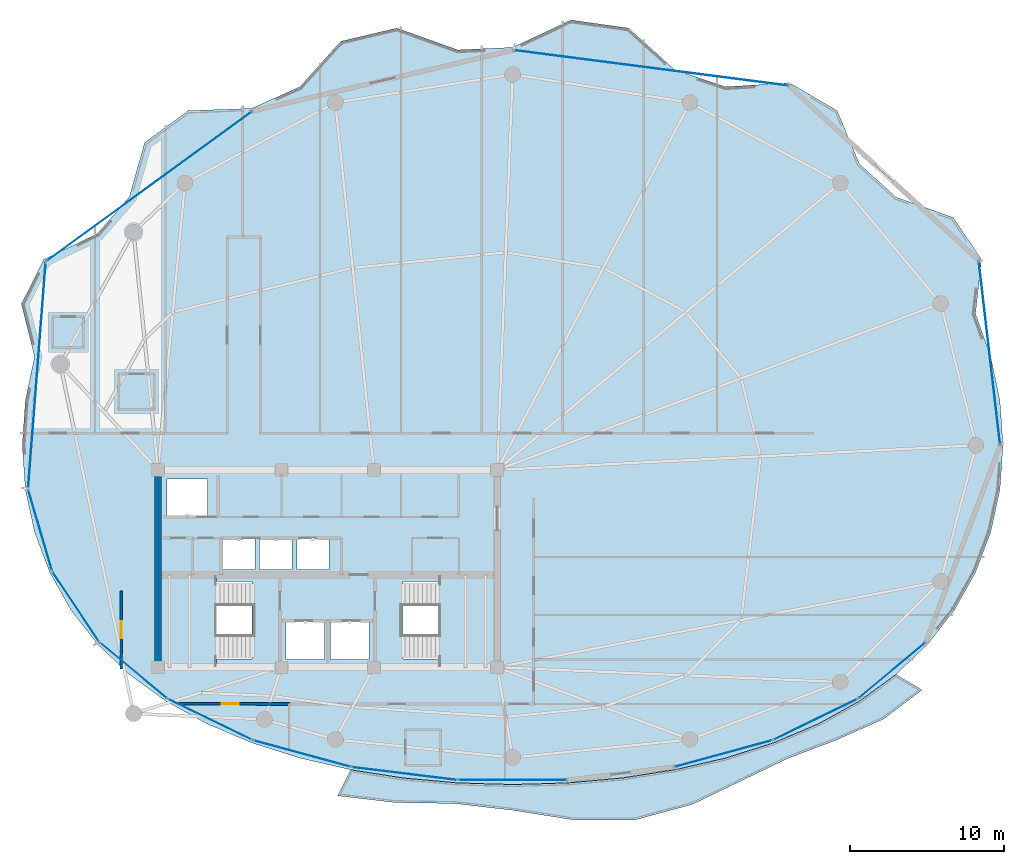
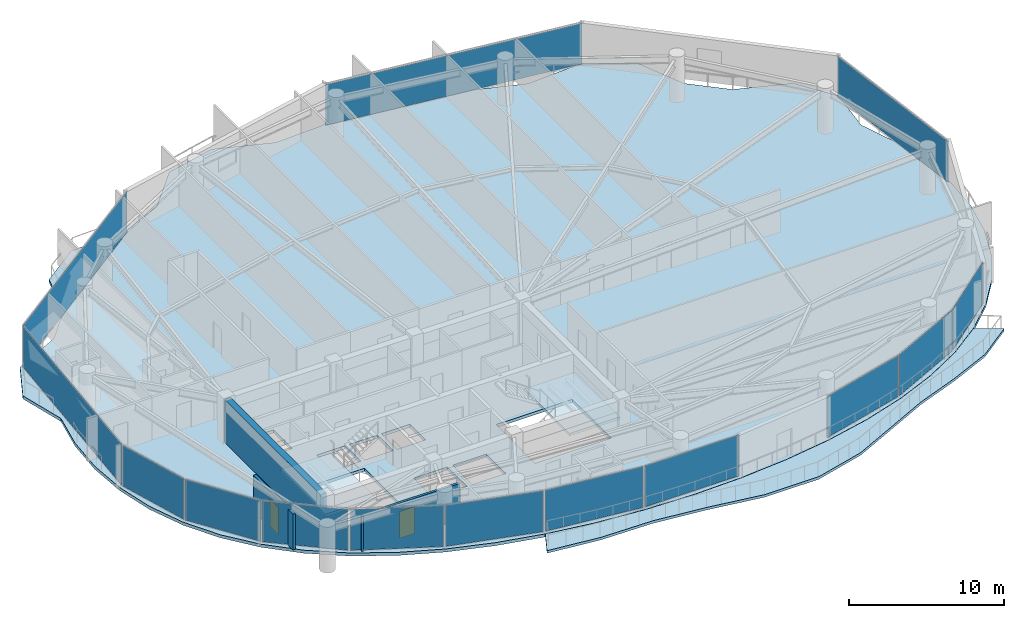
# One storey, part 24 of 31: 14 plates, 4 slabs, 3 walls, 2 doors, 2 openings, 16 elements without a shape of their own.
"""IFC4 building model written with IfcOpenShell, lengths in metres."""

from ifc_helpers import new_model, si_unit, direction, frame, frame_2d, origin, origin_2d, place, context, subcontext, project, spatial, polyline, rectangle, outline, extrude, material, layer, layer_set, type_object, element, fill, aggregate, save


model = new_model("IFC4")

# Units and contexts
model_context = context("Model", 3, precision=1e-05, world=origin(), true_north=direction((0.0, 1.0)))
body_context = subcontext(model_context, "Body", "Model", "MODEL_VIEW")
ifc_project = project(units=[si_unit("LENGTHUNIT", "METRE"), si_unit("AREAUNIT", "SQUARE_METRE"), si_unit("VOLUMEUNIT", "CUBIC_METRE"), si_unit("PLANEANGLEUNIT", "RADIAN"), si_unit("MASSUNIT", "GRAM", prefix="KILO")], contexts=[model_context])

# Site, building, storey
site_placement = place(None, origin())
site = spatial("IfcSite", under=ifc_project, at=site_placement, CompositionType="ELEMENT")
building_placement = place(site_placement, origin())
building = spatial("IfcBuilding", under=site, at=building_placement, Name="Kazevale Care Tower and Concert Hall", CompositionType="ELEMENT")
storey_placement = place(building_placement, frame((0.0, 0.0, 235.199951171875)))
storey = spatial("IfcBuildingStorey", under=building, at=storey_placement, Name="L62", CompositionType="ELEMENT", Elevation=235.199951171875)

# Curtain wall, plate
ifc_material_1 = material(Name="Aluminium 6063-T6 and Low-E Glass", Category="aluminium")
ifc_layer_1 = layer(ifc_material_1, 0.179931640625)
ifc_layer_set_1 = layer_set([ifc_layer_1], Name="Aluminium 6063-T6 and Low-E Glass")
curtain_wall_type_1 = type_object("IfcCurtainWallType", Name="Waist & Upper Residential Curtain Wall CW-4", PredefinedType="NOTDEFINED", material=ifc_layer_set_1)
curtain_wall_1_placement = place(storey_placement, origin())
curtain_wall_1 = element("IfcCurtainWall", 1, at=curtain_wall_1_placement, inside=storey, type_object=curtain_wall_type_1, Name="cw:L62:f11", PredefinedType="NOTDEFINED")
ifc_material_2 = material(Name="Low-E Laminated Glass", Category="glass")
ifc_layer_2 = layer(ifc_material_2, 0.030029296875)
ifc_layer_set_2 = layer_set([ifc_layer_2], Name="Low-E Laminated Glass")
plate_type_1 = type_object("IfcPlateType", Name="CW-4 Low-E Glazing Panel 30mm", PredefinedType="CURTAIN_PANEL", material=ifc_layer_set_2)
plate_1_placement = place(storey_placement, frame((16.677978515625, 27.525390625, 0.080078125), z_axis=(0.0, 0.0, 1.0), x_axis=(-0.554616540853, 0.832106058512, 0.0)))
plate_1 = element("IfcPlate", 2, at=plate_1_placement, type_object=plate_type_1, Name="CW-4 panel 1.1", PredefinedType="CURTAIN_PANEL", context=body_context, shape_type="SweptSolid", body=[
    extrude(rectangle(XDim=5.357421875, YDim=0.030029296875, at=origin_2d()), origin(), (0.0, 0.0, 1.0), 3.199951171875),
])
aggregate(curtain_wall_1, [plate_1])

curtain_wall_2_placement = place(storey_placement, origin())
curtain_wall_2 = element("IfcCurtainWall", 3, at=curtain_wall_2_placement, inside=storey, type_object=curtain_wall_type_1, Name="cw:L62:f12", PredefinedType="NOTDEFINED")
plate_2_placement = place(storey_placement, frame((14.363525390625, 32.489013671875, 0.080078125), z_axis=(0.0, 0.0, 1.0), x_axis=(-0.282098184457, 0.959385539982, 0.0)))
plate_2 = element("IfcPlate", 4, at=plate_2_placement, type_object=plate_type_1, Name="CW-4 panel 1.1", PredefinedType="CURTAIN_PANEL", context=body_context, shape_type="SweptSolid", body=[
    extrude(rectangle(XDim=5.40185546875, YDim=0.030029296875, at=origin_2d()), origin(), (0.0, 0.0, 1.0), 3.199951171875),
])
aggregate(curtain_wall_2, [plate_2])

curtain_wall_3_placement = place(storey_placement, origin())
curtain_wall_3 = element("IfcCurtainWall", 5, at=curtain_wall_3_placement, inside=storey, type_object=curtain_wall_type_1, Name="cw:L62:f13", PredefinedType="NOTDEFINED")
plate_3_placement = place(storey_placement, frame((14.152587890625, 42.531005859375, 0.080078125), z_axis=(0.0, 0.0, 1.0), x_axis=(0.077539106325, 0.996989311372, 0.0)))
plate_3 = element("IfcPlate", 6, at=plate_3_placement, type_object=plate_type_1, Name="CW-4 panel 1.1", PredefinedType="CURTAIN_PANEL", context=body_context, shape_type="SweptSolid", body=[
    extrude(rectangle(XDim=14.632568359375, YDim=0.030029296875, at=origin_2d()), origin(), (0.0, 0.0, 1.0), 3.199951171875),
])
aggregate(curtain_wall_3, [plate_3])

curtain_wall_4_placement = place(storey_placement, origin())
curtain_wall_4 = element("IfcCurtainWall", 7, at=curtain_wall_4_placement, inside=storey, type_object=curtain_wall_type_1, Name="cw:L62:f14", PredefinedType="NOTDEFINED")
plate_4_placement = place(storey_placement, frame((21.424560546875, 54.785888671875, 0.080078125), z_axis=(0.0, 0.0, 1.0), x_axis=(0.808198348937, 0.588910374145, 0.0)))
plate_4 = element("IfcPlate", 8, at=plate_4_placement, type_object=plate_type_1, Name="CW-4 panel 1.1", PredefinedType="CURTAIN_PANEL", context=body_context, shape_type="SweptSolid", body=[
    extrude(rectangle(XDim=16.416259765625, YDim=0.030029296875, at=origin_2d()), origin(), (0.0, 0.0, 1.0), 3.199951171875),
])
aggregate(curtain_wall_4, [plate_4])

curtain_wall_5_placement = place(storey_placement, origin())
curtain_wall_5 = element("IfcCurtainWall", 9, at=curtain_wall_5_placement, inside=storey, type_object=curtain_wall_type_1, Name="cw:L62:f16", PredefinedType="NOTDEFINED")
plate_5_placement = place(storey_placement, frame((53.978515625, 62.468017578125, 0.080078125), z_axis=(0.0, 0.0, 1.0), x_axis=(0.991761497713, -0.128098132904, 0.0)))
plate_5 = element("IfcPlate", 10, at=plate_5_placement, type_object=plate_type_1, Name="CW-4 panel 1.1", PredefinedType="CURTAIN_PANEL", context=body_context, shape_type="SweptSolid", body=[
    extrude(rectangle(XDim=17.857421875, YDim=0.030029296875, at=origin_2d()), origin(), (0.0, 0.0, 1.0), 3.199951171875),
])
aggregate(curtain_wall_5, [plate_5])

curtain_wall_6_placement = place(storey_placement, origin())
curtain_wall_6 = element("IfcCurtainWall", 11, at=curtain_wall_6_placement, inside=storey, type_object=curtain_wall_type_1, Name="cw:L62:f18", PredefinedType="NOTDEFINED")
plate_6_placement = place(storey_placement, frame((75.92041015625, 43.99755859375, 0.080078125), z_axis=(0.0, 0.0, 1.0), x_axis=(0.115846659989, -0.993267109779, 0.0)))
plate_6 = element("IfcPlate", 12, at=plate_6_placement, type_object=plate_type_1, Name="CW-4 panel 1.1", PredefinedType="CURTAIN_PANEL", context=body_context, shape_type="SweptSolid", body=[
    extrude(rectangle(XDim=11.916259765625, YDim=0.030029296875, at=origin_2d()), origin(), (0.0, 0.0, 1.0), 3.199951171875),
])
aggregate(curtain_wall_6, [plate_6])

ifc_layer_3 = layer(ifc_material_1, 0.179931640625)
ifc_layer_set_3 = layer_set([ifc_layer_3], Name="Aluminium 6063-T6 and Low-E Glass")
curtain_wall_type_2 = type_object("IfcCurtainWallType", Name="Sheltered Concave Balcony Curtain Wall CW-5", PredefinedType="NOTDEFINED", material=ifc_layer_set_3)
curtain_wall_7_placement = place(storey_placement, origin())
curtain_wall_7 = element("IfcCurtainWall", 13, at=curtain_wall_7_placement, inside=storey, type_object=curtain_wall_type_2, Name="cw:L62:f02", PredefinedType="NOTDEFINED")
ifc_layer_4 = layer(ifc_material_2, 0.02587890625)
ifc_layer_set_4 = layer_set([ifc_layer_4], Name="Low-E Laminated Glass")
plate_type_2 = type_object("IfcPlateType", Name="CW-5 Low-E Glazing Panel 26mm", PredefinedType="CURTAIN_PANEL", material=ifc_layer_set_4)
plate_7_placement = place(storey_placement, frame((69.590576171875, 23.396484375, 0.074951171875), z_axis=(0.0, 0.0, 1.0), x_axis=(-0.768407210062, -0.639961217204, 0.0)))
plate_7 = element("IfcPlate", 14, at=plate_7_placement, type_object=plate_type_2, Name="CW-5 panel 1.1", PredefinedType="CURTAIN_PANEL", context=body_context, shape_type="SweptSolid", body=[
    extrude(rectangle(XDim=5.580078125, YDim=0.02587890625, at=origin_2d()), origin(), (0.0, 0.0, 1.0), 3.2099609375),
])
aggregate(curtain_wall_7, [plate_7])

curtain_wall_8_placement = place(storey_placement, origin())
curtain_wall_8 = element("IfcCurtainWall", 15, at=curtain_wall_8_placement, inside=storey, type_object=curtain_wall_type_2, Name="cw:L62:f03", PredefinedType="NOTDEFINED")
plate_8_placement = place(storey_placement, frame((64.62255859375, 20.218017578125, 0.074951171875), z_axis=(0.0, 0.0, 1.0), x_axis=(-0.89934566163, -0.437238357087, 0.0)))
plate_8 = element("IfcPlate", 16, at=plate_8_placement, type_object=plate_type_2, Name="CW-5 panel 1.1", PredefinedType="CURTAIN_PANEL", context=body_context, shape_type="SweptSolid", body=[
    extrude(rectangle(XDim=6.002197265625, YDim=0.02587890625, at=origin_2d()), origin(), (0.0, 0.0, 1.0), 3.2099609375),
])
aggregate(curtain_wall_8, [plate_8])

curtain_wall_9_placement = place(storey_placement, origin())
curtain_wall_9 = element("IfcCurtainWall", 17, at=curtain_wall_9_placement, inside=storey, type_object=curtain_wall_type_2, Name="cw:L62:f04", PredefinedType="NOTDEFINED")
plate_9_placement = place(storey_placement, frame((58.66259765625, 18.0029296875, 0.074951171875), z_axis=(0.0, 0.0, 1.0), x_axis=(-0.964836991167, -0.262848968947, 0.0)))
plate_9 = element("IfcPlate", 18, at=plate_9_placement, type_object=plate_type_2, Name="CW-5 panel 1.1", PredefinedType="CURTAIN_PANEL", context=body_context, shape_type="SweptSolid", body=[
    extrude(rectangle(XDim=6.4697265625, YDim=0.02587890625, at=origin_2d()), origin(), (0.0, 0.0, 1.0), 3.2099609375),
])
aggregate(curtain_wall_9, [plate_9])

curtain_wall_10_placement = place(storey_placement, origin())
curtain_wall_10 = element("IfcCurtainWall", 19, at=curtain_wall_10_placement, inside=storey, type_object=curtain_wall_type_2, Name="cw:L62:f06", PredefinedType="NOTDEFINED")
plate_10_placement = place(storey_placement, frame((45.0, 16.284912109375, 0.074951171875), z_axis=(0.0, 0.0, 1.0), x_axis=(-1.0, 0.0, 0.0)))
plate_10 = element("IfcPlate", 20, at=plate_10_placement, type_object=plate_type_2, Name="CW-5 panel 1.1", PredefinedType="CURTAIN_PANEL", context=body_context, shape_type="SweptSolid", body=[
    extrude(rectangle(XDim=6.949951171875, YDim=0.02587890625, at=origin_2d()), origin(), (0.0, 0.0, 1.0), 3.2099609375),
])
aggregate(curtain_wall_10, [plate_10])

curtain_wall_11_placement = place(storey_placement, origin())
curtain_wall_11 = element("IfcCurtainWall", 21, at=curtain_wall_11_placement, inside=storey, type_object=curtain_wall_type_2, Name="cw:L62:f07", PredefinedType="NOTDEFINED")
plate_11_placement = place(storey_placement, frame((37.990478515625, 16.708984375, 0.074951171875), z_axis=(0.0, 0.0, 1.0), x_axis=(-0.992572961225, 0.121650797964, 0.0)))
plate_11 = element("IfcPlate", 22, at=plate_11_placement, type_object=plate_type_2, Name="CW-5 panel 1.1", PredefinedType="CURTAIN_PANEL", context=body_context, shape_type="SweptSolid", body=[
    extrude(rectangle(XDim=6.82080078125, YDim=0.02587890625, at=origin_2d()), origin(), (0.0, 0.0, 1.0), 3.2099609375),
])
aggregate(curtain_wall_11, [plate_11])

curtain_wall_12_placement = place(storey_placement, origin())
curtain_wall_12 = element("IfcCurtainWall", 23, at=curtain_wall_12_placement, inside=storey, type_object=curtain_wall_type_2, Name="cw:L62:f08", PredefinedType="NOTDEFINED")
plate_12_placement = place(storey_placement, frame((31.33740234375, 18.0029296875, 0.074951171875), z_axis=(0.0, 0.0, 1.0), x_axis=(-0.964836991167, 0.262848968947, 0.0)))
plate_12 = element("IfcPlate", 24, at=plate_12_placement, type_object=plate_type_2, Name="CW-5 panel 1.1", PredefinedType="CURTAIN_PANEL", context=body_context, shape_type="SweptSolid", body=[
    extrude(rectangle(XDim=6.4697265625, YDim=0.02587890625, at=origin_2d()), origin(), (0.0, 0.0, 1.0), 3.2099609375),
])
aggregate(curtain_wall_12, [plate_12])

curtain_wall_13_placement = place(storey_placement, origin())
curtain_wall_13 = element("IfcCurtainWall", 25, at=curtain_wall_13_placement, inside=storey, type_object=curtain_wall_type_2, Name="cw:L62:f09", PredefinedType="NOTDEFINED")
plate_13_placement = place(storey_placement, frame((25.37744140625, 20.218017578125, 0.074951171875), z_axis=(0.0, 0.0, 1.0), x_axis=(-0.89934566163, 0.437238357087, 0.0)))
plate_13 = element("IfcPlate", 26, at=plate_13_placement, type_object=plate_type_2, Name="CW-5 panel 1.1", PredefinedType="CURTAIN_PANEL", context=body_context, shape_type="SweptSolid", body=[
    extrude(rectangle(XDim=6.002197265625, YDim=0.02587890625, at=origin_2d()), origin(), (0.0, 0.0, 1.0), 3.2099609375),
])
aggregate(curtain_wall_13, [plate_13])

curtain_wall_14_placement = place(storey_placement, origin())
curtain_wall_14 = element("IfcCurtainWall", 27, at=curtain_wall_14_placement, inside=storey, type_object=curtain_wall_type_2, Name="cw:L62:f10", PredefinedType="NOTDEFINED")
plate_14_placement = place(storey_placement, frame((20.409423828125, 23.396484375, 0.074951171875), z_axis=(0.0, 0.0, 1.0), x_axis=(-0.768407210062, 0.639961217204, 0.0)))
plate_14 = element("IfcPlate", 28, at=plate_14_placement, type_object=plate_type_2, Name="CW-5 panel 1.1", PredefinedType="CURTAIN_PANEL", context=body_context, shape_type="SweptSolid", body=[
    extrude(rectangle(XDim=5.580078125, YDim=0.02587890625, at=origin_2d()), origin(), (0.0, 0.0, 1.0), 3.2099609375),
])
aggregate(curtain_wall_14, [plate_14])

# Slab
ifc_material_3 = material(Name="Concrete C40", Category="concrete")
ifc_layer_5 = layer(ifc_material_3, 0.199951171875)
ifc_layer_set_5 = layer_set([ifc_layer_5], Name="Concrete C40")
slab_type_1 = type_object("IfcSlabType", Name="Sinusoidal Concave Balcony Slab 200", PredefinedType="USERDEFINED", material=ifc_layer_set_5)
slab_1_placement = place(storey_placement, frame((0.0, 0.0, -0.199951171875)))
element("IfcSlab", 29, at=slab_1_placement, inside=storey, type_object=slab_type_1, Name="slab:L62:bal", ObjectType="BALCONY", PredefinedType="USERDEFINED", context=body_context, shape_type="SweptSolid", body=[
    extrude(outline(polyline([(71.552978515625, 22.126220703125), (69.058837890625, 20.250244140625), (65.982421875, 18.881103515625), (62.81591796875, 17.68017578125), (59.806884765625, 16.2294921875), (56.627685546875, 14.702392578125), (52.9638671875, 13.71533203125), (48.950439453125, 13.706787109375), (45.0, 14.329833984375), (41.22216796875, 14.7685546875), (37.401123046875, 14.828369140625), (33.65478515625, 15.2685546875), (34.494873046875, 16.951416015625), (34.49609375, 16.951171875), (37.923095703125, 16.417236328125), (41.439208984375, 16.10009765625), (45.0, 15.9951171875), (48.560791015625, 16.10009765625), (52.076904296875, 16.417236328125), (55.50390625, 16.951171875), (58.798828125, 17.708740234375), (61.92041015625, 18.69873046875), (64.8291015625, 19.92919921875), (67.48876953125, 21.406494140625), (69.865478515625, 23.133056640625), (69.86669921875, 23.13427734375), (71.552978515625, 22.126220703125)])), origin(), (0.0, 0.0, 1.0), 0.199951171875),
])

# Stair, slab
stair_type = type_object("IfcStairType", Name="Exit Stair Assembly ST1-Z3", PredefinedType="HALF_TURN_STAIR", material=ifc_material_3)
stair_1_placement = place(storey_placement, origin())
stair_1 = element("IfcStair", 30, at=stair_1_placement, inside=storey, type_object=stair_type, Name="stair:L62:ST1", PredefinedType="HALF_TURN_STAIR")
ifc_layer_6 = layer(ifc_material_3, 0.199951171875)
ifc_layer_set_6 = layer_set([ifc_layer_6], Name="Concrete C40")
slab_type_2 = type_object("IfcSlabType", Name="Stair Half-Landing Slab ST1-Z3", PredefinedType="LANDING", material=ifc_layer_set_6)
slab_2_placement = place(storey_placement, frame((0.0, 0.0, 1.60009765625)))
slab_2 = element("IfcSlab", 31, at=slab_2_placement, type_object=slab_type_2, Name="ST1-Z3 landing 1", PredefinedType="LANDING", context=body_context, shape_type="SweptSolid", body=[
    extrude(outline(polyline([(22.050048828125, 23.699951171875), (25.81005859375, 23.699951171875), (25.81005859375, 29.5), (22.050048828125, 29.5), (22.050048828125, 23.699951171875)])), origin(), (0.0, 0.0, 1.0), 0.199951171875),
])
aggregate(stair_1, [slab_2])

stair_2_placement = place(storey_placement, origin())
stair_2 = element("IfcStair", 32, at=stair_2_placement, inside=storey, type_object=stair_type, Name="stair:L62:ST2", PredefinedType="HALF_TURN_STAIR")
slab_3_placement = place(storey_placement, frame((0.0, 0.0, 1.60009765625)))
slab_3 = element("IfcSlab", 33, at=slab_3_placement, type_object=slab_type_2, Name="ST1-Z3 landing 1", PredefinedType="LANDING", context=body_context, shape_type="SweptSolid", body=[
    extrude(outline(polyline([(40.18994140625, 23.699951171875), (43.949951171875, 23.699951171875), (43.949951171875, 29.5), (40.18994140625, 29.5), (40.18994140625, 23.699951171875)])), origin(), (0.0, 0.0, 1.0), 0.199951171875),
])
aggregate(stair_2, [slab_3])

# Slab
ifc_layer_7 = layer(ifc_material_3, 0.239990234375)
ifc_layer_set_7 = layer_set([ifc_layer_7], Name="Concrete C40")
slab_type_3 = type_object("IfcSlabType", Name="Tower Typical Floor Slab 240", PredefinedType="FLOOR", material=ifc_layer_set_7)
slab_4_placement = place(storey_placement, frame((0.0, 0.0, -0.239990234375)))
element("IfcSlab", 34, at=slab_4_placement, inside=storey, type_object=slab_type_3, Name="slab:L62:tw:1", PredefinedType="FLOOR", context=body_context, shape_type="SweptSolid", body=[
    extrude(outline(polyline([(76.800048828125, 38.0), (76.60009765625, 40.888671875), (76.002685546875, 43.740966796875), (75.015380859375, 46.521240234375), (75.40771484375, 50.040283203125), (73.576904296875, 52.763916015625), (69.8623046875, 54.0859375), (67.486083984375, 56.243408203125), (66.042724609375, 59.69580078125), (62.9560546875, 61.49658203125), (58.797607421875, 61.2451171875), (55.5029296875, 62.352294921875), (52.510009765625, 65.05419921875), (48.77880859375, 65.575439453125), (45.0, 63.800048828125), (41.439453125, 63.6376953125), (37.489990234375, 65.05419921875), (33.85302734375, 64.19287109375), (31.202392578125, 61.2451171875), (28.081298828125, 59.845458984375), (23.957275390625, 59.69580078125), (21.135009765625, 57.622314453125), (20.1376953125, 54.0859375), (18.07421875, 51.726318359375), (14.59228515625, 50.040283203125), (13.143798828125, 47.165283203125), (13.997314453125, 43.740966796875), (13.39990234375, 40.888671875), (13.199951171875, 38.0), (13.39990234375, 35.131103515625), (13.997314453125, 32.362060546875), (14.984619140625, 29.744873046875), (16.34912109375, 27.318115234375), (18.07421875, 25.109130859375), (20.1376953125, 23.13671875), (22.513916015625, 21.41064453125), (25.173095703125, 19.933837890625), (28.081298828125, 18.70361328125), (31.202392578125, 17.713623046875), (34.4970703125, 16.9560546875), (37.923828125, 16.422119140625), (41.439453125, 16.10498046875), (45.0, 16.0), (48.560546875, 16.10498046875), (52.076171875, 16.422119140625), (55.5029296875, 16.9560546875), (58.797607421875, 17.713623046875), (61.918701171875, 18.70361328125), (64.826904296875, 19.933837890625), (67.486083984375, 21.41064453125), (69.8623046875, 23.13671875), (71.92578125, 25.109130859375), (73.65087890625, 27.318115234375), (75.015380859375, 29.744873046875), (76.002685546875, 32.362060546875), (76.60009765625, 35.131103515625), (76.800048828125, 38.0)]), holes=[polyline([(22.449951171875, 24.14990234375), (28.110107421875, 24.14990234375), (28.110107421875, 29.14990234375), (22.449951171875, 29.14990234375), (22.449951171875, 24.14990234375)]), polyline([(37.889892578125, 24.14990234375), (43.550048828125, 24.14990234375), (43.550048828125, 29.14990234375), (37.889892578125, 29.14990234375), (37.889892578125, 24.14990234375)]), polyline([(30.300048828125, 24.10009765625), (32.800048828125, 24.10009765625), (32.800048828125, 26.60009765625), (30.300048828125, 26.60009765625), (30.300048828125, 24.10009765625)]), polyline([(33.199951171875, 24.10009765625), (35.699951171875, 24.10009765625), (35.699951171875, 26.60009765625), (33.199951171875, 26.60009765625), (33.199951171875, 24.10009765625)]), polyline([(22.60009765625, 33.39990234375), (25.199951171875, 33.39990234375), (25.199951171875, 35.800048828125), (22.60009765625, 35.800048828125), (22.60009765625, 33.39990234375)]), polyline([(26.199951171875, 29.949951171875), (28.300048828125, 29.949951171875), (28.300048828125, 31.949951171875), (26.199951171875, 31.949951171875), (26.199951171875, 29.949951171875)]), polyline([(28.60009765625, 29.949951171875), (30.699951171875, 29.949951171875), (30.699951171875, 31.949951171875), (28.60009765625, 31.949951171875), (28.60009765625, 29.949951171875)]), polyline([(31.0, 29.949951171875), (33.10009765625, 29.949951171875), (33.10009765625, 31.949951171875), (31.0, 31.949951171875), (31.0, 29.949951171875)])]), origin(), (0.0, 0.0, 1.0), 0.239990234375),
])

# Wall
ifc_material_4 = material(Name="Concrete C50", Category="concrete")
ifc_layer_8 = layer(ifc_material_4, 0.449951171875)
ifc_layer_set_8 = layer_set([ifc_layer_8], Name="Concrete C50")
wall_type_1 = type_object("IfcWallType", Name="Core Shear Wall 450 C50", PredefinedType="SHEAR", material=ifc_layer_set_8)
wall_1_placement = place(storey_placement, frame((22.0, 23.824951171875, 0.0), z_axis=(0.0, 0.0, 1.0), x_axis=(0.0, 1.0, 0.0)))
element("IfcWall", 35, at=wall_1_placement, inside=storey, type_object=wall_type_1, Name="wall:L62:core:W", PredefinedType="SHEAR", context=body_context, shape_type="SweptSolid", body=[
    extrude(rectangle(XDim=12.35009765625, YDim=0.449951171875, at=frame_2d((6.175048828125, 0.0))), origin(), (0.0, 0.0, 1.0), 3.360107421875),
])

# Wall, opening, door
ifc_material_5 = material(Name="Concrete C40 and Acoustic Gypsum", Category="concrete")
ifc_layer_9 = layer(ifc_material_5, 0.179931640625)
ifc_layer_set_9 = layer_set([ifc_layer_9], Name="Concrete C40 and Acoustic Gypsum")
wall_type_2 = type_object("IfcWallType", Name="Fire-Rated Corridor & Party Wall 180", PredefinedType="PARTITIONING", material=ifc_layer_set_9)
wall_2_placement = place(storey_placement, frame((30.56494140625, 21.22509765625, 0.0), z_axis=(0.0, 0.0, 1.0), x_axis=(-0.999997325315, 0.002312868818, 0.0)))
wall_2 = element("IfcWall", 36, at=wall_2_placement, inside=storey, type_object=wall_type_2, Name="wall:L62:auto_019", PredefinedType="PARTITIONING", context=body_context, shape_type="SweptSolid", body=[
    extrude(rectangle(XDim=7.283447265625, YDim=0.179931640625, at=frame_2d((3.6416015625, 0.0))), origin(), (0.0, 0.0, 1.0), 2.80615234375),
])
opening_1_placement = place(wall_2_placement, frame((3.3291015625, 0.0, 0.0)))
opening_1 = element("IfcOpeningElement", 37, at=opening_1_placement, cuts=wall_2, Name="Opening ID-1100", PredefinedType="OPENING", context=body_context, shape_type="SweptSolid", body=[
    extrude(rectangle(XDim=1.10009765625, YDim=2.10009765625, at=frame_2d((0.550048828125, 1.050048828125))), frame((0.0, 0.099853515625, 0.0), z_axis=(0.0, -1.0, 0.0), x_axis=(1.0, 0.0, 0.0)), (0.0, 0.0, 1.0), 0.199951171875),
])
ifc_material_6 = material(Name="Oak Timber Fire Leaf", Category="wood")
door_type = type_object("IfcDoorType", Name="Care Bedroom Accessible Door 1100x2100", OperationType="NOTDEFINED", PredefinedType="DOOR", material=ifc_material_6)
door_1_placement = place(opening_1_placement, origin())
door_1 = element("IfcDoor", 38, at=door_1_placement, inside=storey, type_object=door_type, Name="door:L62:ad_019", OperationType="SINGLE_SWING_LEFT", OverallHeight=2.10009765625, OverallWidth=1.10009765625, PredefinedType="DOOR", context=body_context, shape_type="SweptSolid", body=[
    extrude(rectangle(XDim=1.10009765625, YDim=2.10009765625, at=frame_2d((0.550048828125, 1.050048828125))), frame((0.0, 0.02490234375, 0.0), z_axis=(0.0, -1.0, 0.0), x_axis=(1.0, 0.0, 0.0)), (0.0, 0.0, 1.0), 0.050048828125),
])
fill(opening_1, door_1)

wall_3_placement = place(storey_placement, frame((19.625, 23.49609375, 0.0), z_axis=(0.0, 0.0, 1.0), x_axis=(0.0, 1.0, 0.0)))
wall_3 = element("IfcWall", 39, at=wall_3_placement, inside=storey, type_object=wall_type_2, Name="wall:L62:auto_022", PredefinedType="PARTITIONING", context=body_context, shape_type="SweptSolid", body=[
    extrude(rectangle(XDim=5.06884765625, YDim=0.179931640625, at=frame_2d((2.534423828125, 0.0))), origin(), (0.0, 0.0, 1.0), 2.817138671875),
])
opening_2_placement = place(wall_3_placement, frame((1.98388671875, 0.0, 0.0)))
opening_2 = element("IfcOpeningElement", 40, at=opening_2_placement, cuts=wall_3, Name="Opening ID-1100", PredefinedType="OPENING", context=body_context, shape_type="SweptSolid", body=[
    extrude(rectangle(XDim=1.10009765625, YDim=2.10009765625, at=frame_2d((0.550048828125, 1.050048828125))), frame((0.0, 0.099853515625, 0.0), z_axis=(0.0, -1.0, 0.0), x_axis=(1.0, 0.0, 0.0)), (0.0, 0.0, 1.0), 0.199951171875),
])
door_2_placement = place(opening_2_placement, origin())
door_2 = element("IfcDoor", 41, at=door_2_placement, inside=storey, type_object=door_type, Name="door:L62:ad_022", OperationType="SINGLE_SWING_LEFT", OverallHeight=2.10009765625, OverallWidth=1.10009765625, PredefinedType="DOOR", context=body_context, shape_type="SweptSolid", body=[
    extrude(rectangle(XDim=1.10009765625, YDim=2.10009765625, at=frame_2d((0.550048828125, 1.050048828125))), frame((0.0, 0.02490234375, 0.0), z_axis=(0.0, -1.0, 0.0), x_axis=(1.0, 0.0, 0.0)), (0.0, 0.0, 1.0), 0.050048828125),
])
fill(opening_2, door_2)

save(model, "model.ifc")
